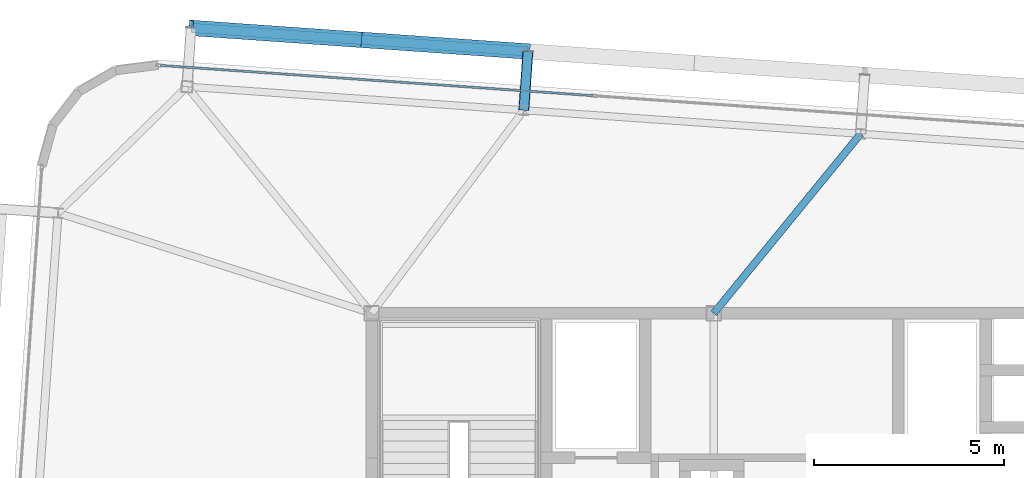
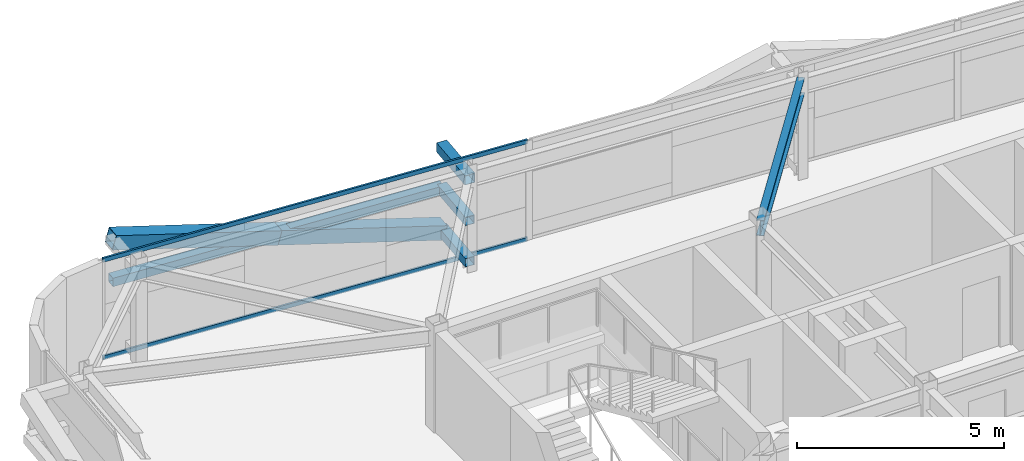
# One storey, part 20 of 39: 8 members, 1 beam, 1 element without a shape of its own.
"""IFC4 building model written with IfcOpenShell, lengths in metres."""

from ifc_helpers import new_model, si_unit, direction, frame, origin, origin_2d, place, context, subcontext, project, spatial, hollow_rectangle, i_section, extrude, source, transform, mapped, material, layer, layer_set, material_profile, profile_set, type_object, element, aggregate, save


model = new_model("IFC4")

# Units and contexts
model_context = context("Model", 3, precision=1e-05, world=origin(), true_north=direction((0.0, 1.0)))
body_context = subcontext(model_context, "Body", "Model", "MODEL_VIEW")
ifc_project = project(units=[si_unit("LENGTHUNIT", "METRE"), si_unit("AREAUNIT", "SQUARE_METRE"), si_unit("VOLUMEUNIT", "CUBIC_METRE"), si_unit("PLANEANGLEUNIT", "RADIAN"), si_unit("MASSUNIT", "GRAM", prefix="KILO")], contexts=[model_context])

# Site, building, storey
site_placement = place(None, origin())
site = spatial("IfcSite", under=ifc_project, at=site_placement, CompositionType="ELEMENT")
building_placement = place(site_placement, origin())
building = spatial("IfcBuilding", under=site, at=building_placement, Name="Taldren Reach Tower", CompositionType="ELEMENT")
storey_placement = place(building_placement, frame((0.0, 0.0, 148.75)))
storey = spatial("IfcBuildingStorey", under=building, at=storey_placement, Name="L45", CompositionType="ELEMENT", Elevation=148.75)

# Members
ifc_material_1 = material(Name="Steel Gr 450 (C450L0)", Category="steel")
ifc_material_profile_1 = material_profile(ifc_material_1, hollow_rectangle(XDim=0.27490234375, YDim=0.27490234375, WallThickness=0.00927734375, at=origin_2d()), Name="275x275x9.3SHS")
ifc_profile_set_1 = profile_set([ifc_material_profile_1], Name="Steel Gr 450 (C450L0)")
member_type_1 = type_object("IfcMemberType", Name="MB-TIE273", PredefinedType="STRUT", material=ifc_profile_set_1)
shared_shape_1 = source(origin(), body_context, "Body", "SweptSolid", [
    extrude(hollow_rectangle(XDim=0.27490234375, YDim=0.27490234375, WallThickness=0.00927734375, at=origin_2d()), origin(), (0.0, 0.0, 1.0), 1.5498046875),
])
member_1_placement = place(storey_placement, frame((23.0029296875, 37.33935546875, 2.64990234375), z_axis=(0.069780535098, 0.997562367434, 0.0), x_axis=(-0.997562367434, 0.069780535098, 0.0)))
element("IfcMember", 1, at=member_1_placement, inside=storey, type_object=member_type_1, Name="Exoskeleton diaphragm tie strut B3-N2 L45", PredefinedType="STRUT", context=body_context, shape_type="MappedRepresentation", body=[
    mapped(shared_shape_1, transform((0.0, 0.0, 0.0), scale=1.0)),
])
ifc_material_2 = material(Name="Steel Gr 350 (C350L0)", Category="steel")
ifc_material_profile_2 = material_profile(ifc_material_2, hollow_rectangle(XDim=0.25, YDim=0.25, WallThickness=0.010009765625, at=origin_2d()), Name="250x250x10.0SHS")
ifc_profile_set_2 = profile_set([ifc_material_profile_2], Name="Steel Gr 350 (C350L0)")
member_type_2 = type_object("IfcMemberType", Name="MB-POST250", PredefinedType="POST", material=ifc_profile_set_2)
shared_shape_2 = source(origin(), body_context, "Body", "SweptSolid", [
    extrude(hollow_rectangle(XDim=0.25, YDim=0.25, WallThickness=0.010009765625, at=origin_2d()), origin(), (0.0, 0.0, 1.0), 1.5498046875),
])
for number, where, z_axis, x_axis, name in (
    (2, (23.0029296875, 37.33935546875, 0.219970703125), (0.069780535098, 0.997562367434, 0.0), (-0.997562367434, 0.069780535098, 0.0), "Exoskeleton base diaphragm tie strut B3-N2 L45"),
    (3, (23.0029296875, 37.33935546875, 1.43505859375), (0.069780535098, 0.997562367434, 0.0), (-0.997562367434, 0.069780535098, 0.0), "Exoskeleton mid-tier diaphragm tie B3-N2 L45"),
):
    element("IfcMember", number, at=place(storey_placement, frame(where, z_axis=z_axis, x_axis=x_axis)), inside=storey, type_object=member_type_2, Name=name, PredefinedType="POST", context=body_context, shape_type="MappedRepresentation", body=[
        mapped(shared_shape_2, transform((0.0, 0.0, 0.0), scale=1.0)),
    ])

# Beam
ifc_material_3 = material(Name="Steel Gr 350 (350PLUS)", Category="steel")
ifc_material_profile_3 = material_profile(ifc_material_3, i_section(OverallWidth=0.19091796875, OverallDepth=0.4599609375, WebThickness=0.010009765625, FlangeThickness=0.01611328125, at=origin_2d()), Name="460UB82.1")
ifc_profile_set_3 = profile_set([ifc_material_profile_3], Name="Steel Gr 350 (350PLUS)")
beam_type = type_object("IfcBeamType", Name="BM-UB460A", PredefinedType="BEAM", material=ifc_profile_set_3)
shared_shape_3 = source(origin(), body_context, "Body", "SweptSolid", [
    extrude(i_section(OverallWidth=0.19091796875, OverallDepth=0.4599609375, WebThickness=0.010009765625, FlangeThickness=0.01611328125, at=origin_2d()), origin(), (0.0, 0.0, 1.0), 6.09814453125),
])
beam_placement = place(storey_placement, frame((28.0, 32.0, 2.699951171875), z_axis=(0.633192006663, 0.773994756247, 0.0), x_axis=(-0.773994756247, 0.633192006663, 0.0)))
element("IfcBeam", 4, at=beam_placement, inside=storey, type_object=beam_type, Name="Primary floor girder B3-N3 L45", PredefinedType="BEAM", context=body_context, shape_type="MappedRepresentation", body=[
    mapped(shared_shape_3, transform((0.0, 0.0, 0.0), scale=1.0)),
])

# Members
shared_shape_4 = source(origin(), body_context, "Body", "SweptSolid", [
    extrude(hollow_rectangle(XDim=0.25, YDim=0.25, WallThickness=0.010009765625, at=origin_2d()), origin(), (0.0, 0.0, 1.0), 8.880126953125),
])
member_2_placement = place(storey_placement, frame((14.252685546875, 39.5048828125, 1.43505859375), z_axis=(0.997564479639, -0.069750333063, 0.0), x_axis=(0.069750333063, 0.997564479639, 0.0)))
element("IfcMember", 5, at=member_2_placement, inside=storey, type_object=member_type_2, Name="Exoskeleton mid-height ring chord B3-N1 L45", PredefinedType="POST", context=body_context, shape_type="MappedRepresentation", body=[
    mapped(shared_shape_4, transform((0.0, 0.0, 0.0), scale=1.0)),
])
ifc_material_profile_4 = material_profile(ifc_material_1, hollow_rectangle(XDim=0.409912109375, YDim=0.409912109375, WallThickness=0.01611328125, at=origin_2d()), Name="410x410x16.0SHS")
ifc_profile_set_4 = profile_set([ifc_material_profile_4], Name="Steel Gr 450 (C450L0)")
member_type_3 = type_object("IfcMemberType", Name="MB-EXO406", PredefinedType="BRACE", material=ifc_profile_set_4)
shared_shape_5 = source(origin(), body_context, "Body", "SweptSolid", [
    extrude(hollow_rectangle(XDim=0.409912109375, YDim=0.409912109375, WallThickness=0.01611328125, at=origin_2d()), origin(), (0.0, 0.0, 1.0), 4.603271484375),
])
for number, where, z_axis, x_axis, name in (
    (6, (23.111083984375, 38.885498046875, 0.219970703125), (-0.962182351074, 0.067302910567, 0.263961060594), (-0.06977769246, -0.997562566276, 0.0), "Exoskeleton Diagrid Brace B3-N1 L45"),
    (7, (18.681884765625, 39.1953125, 1.43505859375), (-0.962199253371, 0.067251055742, 0.263912660389), (-0.069722973508, -0.997566392259, 0.0), "Exoskeleton Diagrid Brace B3-N1 L45"),
):
    element("IfcMember", number, at=place(storey_placement, frame(where, z_axis=z_axis, x_axis=x_axis)), inside=storey, type_object=member_type_3, Name=name, PredefinedType="BRACE", context=body_context, shape_type="MappedRepresentation", body=[
        mapped(shared_shape_5, transform((0.0, 0.0, 0.0), scale=1.0)),
    ])

# Curtain wall, members
ifc_material_4 = material(Name="Aluminium and Low-E Glass Unitised System", Category="aluminium")
ifc_layer = layer(ifc_material_4, 0.159912109375)
ifc_layer_set = layer_set([ifc_layer], Name="Aluminium and Low-E Glass Unitised System")
curtain_wall_type = type_object("IfcCurtainWallType", Name="CW-SYS-4", PredefinedType="NOTDEFINED", material=ifc_layer_set)
curtain_wall_placement = place(storey_placement, origin())
curtain_wall = element("IfcCurtainWall", 8, at=curtain_wall_placement, inside=storey, type_object=curtain_wall_type, Name="Unitised curtain wall CW-L45-N", PredefinedType="NOTDEFINED")
ifc_material_5 = material(Name="Anodised Aluminium 6063-T6", Category="aluminium")
ifc_material_profile_5 = material_profile(ifc_material_5, hollow_rectangle(XDim=0.054931640625, YDim=0.1201171875, WallThickness=0.0029296875, at=origin_2d()), Name="ALU-120x55x3RHS")
ifc_profile_set_5 = profile_set([ifc_material_profile_5], Name="Anodised Aluminium 6063-T6")
member_type_4 = type_object("IfcMemberType", Name="CW-TRN-135", PredefinedType="USERDEFINED", material=ifc_profile_set_5)
shared_shape_6 = source(origin(), body_context, "Body", "SweptSolid", [
    extrude(hollow_rectangle(XDim=0.054931640625, YDim=0.1201171875, WallThickness=0.0029296875, at=origin_2d()), origin(), (0.0, 0.0, 1.0), 11.39501953125),
])
member_3_placement = place(storey_placement, frame((24.819091796875, 37.7236328125, 0.027587890625), z_axis=(-0.997563740682, 0.069760900766, 0.0), x_axis=(-0.069760900766, -0.997563740682, 0.0)))
member_3 = element("IfcMember", 9, at=member_3_placement, type_object=member_type_4, Name="CW-4 transom 4.1", ObjectType="TRANSOM", PredefinedType="USERDEFINED", context=body_context, shape_type="MappedRepresentation", body=[
    mapped(shared_shape_6, transform((0.0, 0.0, 0.0), scale=1.0)),
])
member_4_placement = place(storey_placement, frame((24.819091796875, 37.7236328125, 2.902587890625), z_axis=(-0.997563740682, 0.069760900766, 0.0), x_axis=(-0.069760900766, -0.997563740682, 0.0)))
member_4 = element("IfcMember", 10, at=member_4_placement, type_object=member_type_4, Name="CW-4 transom 4.2", ObjectType="TRANSOM", PredefinedType="USERDEFINED", context=body_context, shape_type="MappedRepresentation", body=[
    mapped(shared_shape_6, transform((0.0, 0.0, 0.0), scale=1.0)),
])
aggregate(curtain_wall, [member_3, member_4])

save(model, "model.ifc")
